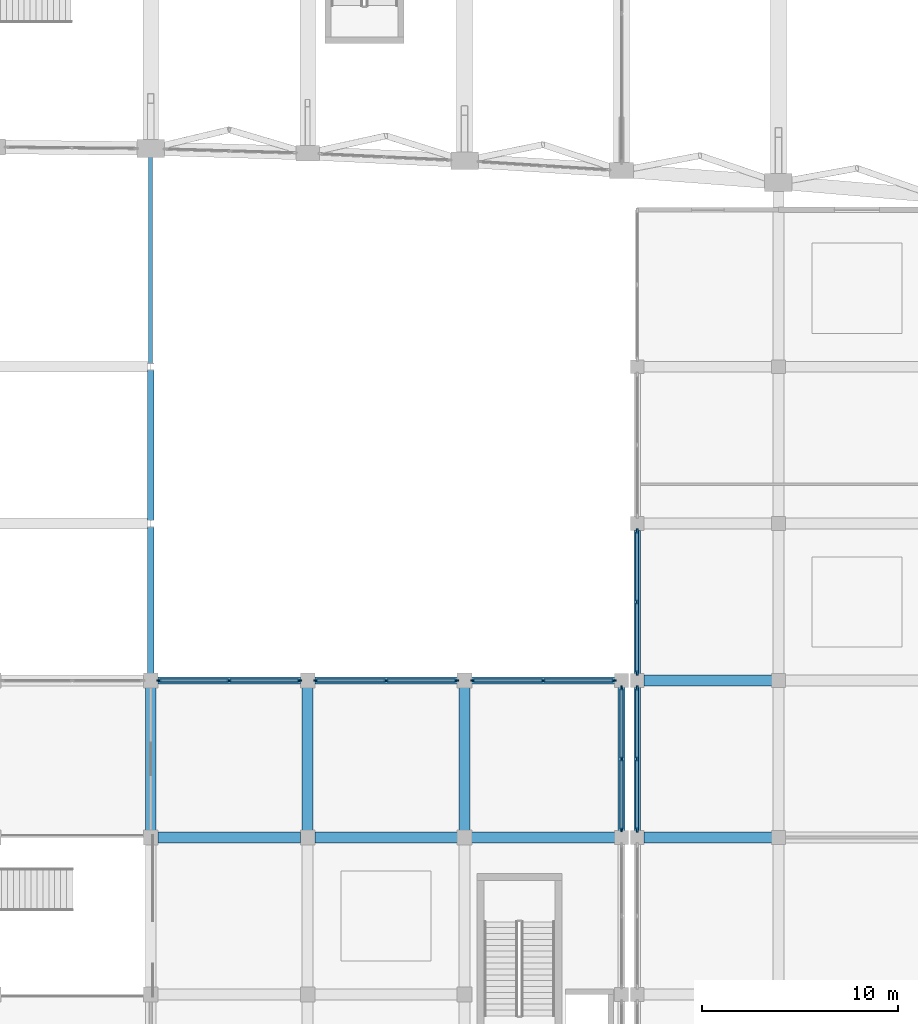
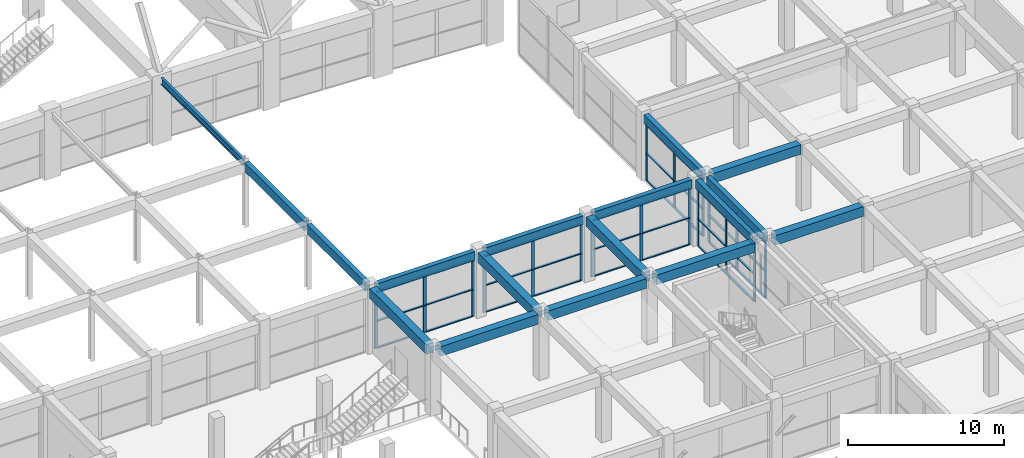
# One storey, part 18 of 69: 54 members, 17 beams, 6 elements without a shape of their own.
"""IFC4 building model written with IfcOpenShell, lengths in metres."""

from ifc_helpers import new_model, si_unit, direction, frame, origin, origin_2d, place, context, subcontext, project, spatial, rectangle, i_section, extrude, material, material_profile, profile_set, type_object, element, aggregate, save


model = new_model("IFC4")

# Units and contexts
model_context = context("Model", 3, precision=1e-05, world=origin(), true_north=direction((0.0, 1.0)))
body_context = subcontext(model_context, "Body", "Model", "MODEL_VIEW")
ifc_project = project(units=[si_unit("LENGTHUNIT", "METRE"), si_unit("AREAUNIT", "SQUARE_METRE"), si_unit("VOLUMEUNIT", "CUBIC_METRE"), si_unit("PLANEANGLEUNIT", "RADIAN"), si_unit("MASSUNIT", "GRAM", prefix="KILO")], contexts=[model_context])

# Site, building, storey
site_placement = place(None, origin())
site = spatial("IfcSite", under=ifc_project, at=site_placement, CompositionType="ELEMENT")
building_placement = place(site_placement, origin())
building = spatial("IfcBuilding", under=site, at=building_placement, Name="Kenh Van Central Station", CompositionType="ELEMENT")
storey_placement = place(building_placement, frame((0.0, 0.0, 5.39990234375)))
storey = spatial("IfcBuildingStorey", under=building, at=storey_placement, Name="L01", CompositionType="ELEMENT", Elevation=5.39990234375)

# Beams
ifc_material_1 = material(Name="Concrete C35/45", Category="concrete")
ifc_material_profile_1 = material_profile(ifc_material_1, rectangle(XDim=0.550048828125, YDim=0.75, at=origin_2d()), Name="RC 550x750")
ifc_profile_set_1 = profile_set([ifc_material_profile_1], Name="Concrete C35/45")
beam_type_1 = type_object("IfcBeamType", Name="BM-RC-550x750", PredefinedType="BEAM", material=ifc_profile_set_1)
for number, where, z_axis, x_axis, name in (
    (1, (96.364990234375, 32.0, 4.755126953125), (1.0, 0.0, 0.0), (0.0, 1.0, 0.0), "L01 beam 0679"),
    (2, (104.364990234375, 32.0, 4.755126953125), (1.0, 0.0, 0.0), (0.0, 1.0, 0.0), "L01 beam 0680"),
):
    element("IfcBeam", number, at=place(storey_placement, frame(where, z_axis=z_axis, x_axis=x_axis)), inside=storey, type_object=beam_type_1, Name=name, PredefinedType="BEAM", context=body_context, shape_type="SweptSolid", body=[
        extrude(rectangle(XDim=0.550048828125, YDim=0.75, at=origin_2d()), origin(), (0.0, 0.0, 1.0), 7.27001953125),
    ])
beam_1_placement = place(storey_placement, frame((112.364990234375, 32.0, 4.755126953125), z_axis=(1.0, 0.0, 0.0), x_axis=(0.0, 1.0, 0.0)))
element("IfcBeam", 3, at=beam_1_placement, inside=storey, type_object=beam_type_1, Name="L01 beam 0681", PredefinedType="BEAM", context=body_context, shape_type="SweptSolid", body=[
    extrude(rectangle(XDim=0.550048828125, YDim=0.75, at=origin_2d()), origin(), (0.0, 0.0, 1.0), 7.294921875),
])
for number, where, z_axis, x_axis, name in (
    (4, (121.139892578125, 32.0, 4.76513671875), (1.0, 0.0, 0.0), (0.0, 1.0, 0.0), "L01 beam 0682"),
    (5, (121.139892578125, 40.0, 4.76513671875), (1.0, 0.0, 0.0), (0.0, 1.0, 0.0), "L01 beam 0701"),
):
    element("IfcBeam", number, at=place(storey_placement, frame(where, z_axis=z_axis, x_axis=x_axis)), inside=storey, type_object=beam_type_1, Name=name, PredefinedType="BEAM", context=body_context, shape_type="SweptSolid", body=[
        extrude(rectangle(XDim=0.550048828125, YDim=0.75, at=origin_2d()), origin(), (0.0, 0.0, 1.0), 6.52001953125),
    ])
for number, where, z_axis, x_axis, name in (
    (6, (96.0, 32.364990234375, 4.755126953125), (0.0, 1.0, 0.0), (-1.0, 0.0, 0.0), "L01 beam 0829"),
    (7, (104.0, 32.364990234375, 4.755126953125), (0.0, 1.0, 0.0), (-1.0, 0.0, 0.0), "L01 beam 0835"),
    (8, (112.0, 32.364990234375, 4.755126953125), (0.0, 1.0, 0.0), (-1.0, 0.0, 0.0), "L01 beam 0838"),
):
    element("IfcBeam", number, at=place(storey_placement, frame(where, z_axis=z_axis, x_axis=x_axis)), inside=storey, type_object=beam_type_1, Name=name, PredefinedType="BEAM", context=body_context, shape_type="SweptSolid", body=[
        extrude(rectangle(XDim=0.550048828125, YDim=0.75, at=origin_2d()), origin(), (0.0, 0.0, 1.0), 7.27001953125),
    ])
ifc_material_2 = material(Name="Steel S355", Category="steel")
ifc_material_profile_2 = material_profile(ifc_material_2, i_section(OverallWidth=0.199951171875, OverallDepth=0.5, WebThickness=0.01025390625, FlangeThickness=0.01611328125, FilletRadius=0.02099609375, at=origin_2d()), Name="IPE 500")
ifc_profile_set_2 = profile_set([ifc_material_profile_2], Name="Steel S355")
beam_type_2 = type_object("IfcBeamType", Name="BM-STL-IPE500", PredefinedType="BEAM", material=ifc_profile_set_2)
beam_2_placement = place(storey_placement, frame((96.0, 56.169921875, 4.880126953125), z_axis=(0.0, 1.0, 0.0), x_axis=(-1.0, 0.0, 0.0)))
element("IfcBeam", 9, at=beam_2_placement, inside=storey, type_object=beam_type_2, Name="L01 beam 0832", PredefinedType="BEAM", context=body_context, shape_type="SweptSolid", body=[
    extrude(i_section(OverallWidth=0.199951171875, OverallDepth=0.5, WebThickness=0.01025390625, FlangeThickness=0.01611328125, FilletRadius=0.02099609375, at=origin_2d()), origin(), (0.0, 0.0, 1.0), 10.509765625),
])

# Curtain wall, members
ifc_material_3 = material(Name="Champagne anodised aluminium", Category="aluminium")
curtain_wall_type_1 = type_object("IfcCurtainWallType", Name="CW-OPER-B", PredefinedType="NOTDEFINED", material=ifc_material_3)
curtain_wall_1_placement = place(storey_placement, origin())
curtain_wall_1 = element("IfcCurtainWall", 10, at=curtain_wall_1_placement, inside=storey, type_object=curtain_wall_type_1, Name="L01 curtain wall 154", PredefinedType="NOTDEFINED")
ifc_material_profile_3 = material_profile(ifc_material_3, rectangle(XDim=0.087890625, YDim=0.239990234375, at=origin_2d()), Name="AL 88x240")
ifc_profile_set_3 = profile_set([ifc_material_profile_3], Name="Champagne anodised aluminium")
member_type_1 = type_object("IfcMemberType", Name="CWM-60x140", PredefinedType="MULLION", material=ifc_profile_set_3)
member_1_placement = place(storey_placement, frame((120.800048828125, 47.60595703125, 0.0), z_axis=(0.0, 0.0, 1.0), x_axis=(1.0, 0.0, 0.0)))
member_1 = element("IfcMember", 11, at=member_1_placement, type_object=member_type_1, Name="CW-08 mullion 1", PredefinedType="MULLION", context=body_context, shape_type="SweptSolid", body=[
    extrude(rectangle(XDim=0.087890625, YDim=0.239990234375, at=origin_2d()), origin(), (0.0, 0.0, 1.0), 4.440185546875),
])
member_2_placement = place(storey_placement, frame((120.800048828125, 44.0, 0.0), z_axis=(0.0, 0.0, 1.0), x_axis=(1.0, 0.0, 0.0)))
member_2 = element("IfcMember", 12, at=member_2_placement, type_object=member_type_1, Name="CW-08 mullion 2", PredefinedType="MULLION", context=body_context, shape_type="SweptSolid", body=[
    extrude(rectangle(XDim=0.087890625, YDim=0.239990234375, at=origin_2d()), origin(), (0.0, 0.0, 1.0), 4.440185546875),
])
member_3_placement = place(storey_placement, frame((120.800048828125, 40.39404296875, 0.0), z_axis=(0.0, 0.0, 1.0), x_axis=(1.0, 0.0, 0.0)))
member_3 = element("IfcMember", 13, at=member_3_placement, type_object=member_type_1, Name="CW-08 mullion 3", PredefinedType="MULLION", context=body_context, shape_type="SweptSolid", body=[
    extrude(rectangle(XDim=0.087890625, YDim=0.239990234375, at=origin_2d()), origin(), (0.0, 0.0, 1.0), 4.440185546875),
])

curtain_wall_2_placement = place(storey_placement, origin())
curtain_wall_2 = element("IfcCurtainWall", 14, at=curtain_wall_2_placement, inside=storey, type_object=curtain_wall_type_1, Name="L01 curtain wall 155", PredefinedType="NOTDEFINED")
member_4_placement = place(storey_placement, frame((120.800048828125, 39.60595703125, 0.0), z_axis=(0.0, 0.0, 1.0), x_axis=(1.0, 0.0, 0.0)))
member_4 = element("IfcMember", 15, at=member_4_placement, type_object=member_type_1, Name="CW-08 mullion 1", PredefinedType="MULLION", context=body_context, shape_type="SweptSolid", body=[
    extrude(rectangle(XDim=0.087890625, YDim=0.239990234375, at=origin_2d()), origin(), (0.0, 0.0, 1.0), 4.440185546875),
])
member_5_placement = place(storey_placement, frame((120.800048828125, 36.0, 0.0), z_axis=(0.0, 0.0, 1.0), x_axis=(1.0, 0.0, 0.0)))
member_5 = element("IfcMember", 16, at=member_5_placement, type_object=member_type_1, Name="CW-08 mullion 2", PredefinedType="MULLION", context=body_context, shape_type="SweptSolid", body=[
    extrude(rectangle(XDim=0.087890625, YDim=0.239990234375, at=origin_2d()), origin(), (0.0, 0.0, 1.0), 4.440185546875),
])
member_6_placement = place(storey_placement, frame((120.800048828125, 32.39404296875, 0.0), z_axis=(0.0, 0.0, 1.0), x_axis=(1.0, 0.0, 0.0)))
member_6 = element("IfcMember", 17, at=member_6_placement, type_object=member_type_1, Name="CW-08 mullion 3", PredefinedType="MULLION", context=body_context, shape_type="SweptSolid", body=[
    extrude(rectangle(XDim=0.087890625, YDim=0.239990234375, at=origin_2d()), origin(), (0.0, 0.0, 1.0), 4.440185546875),
])

curtain_wall_type_2 = type_object("IfcCurtainWallType", Name="CW-CONC-B", PredefinedType="NOTDEFINED", material=ifc_material_3)
curtain_wall_3_placement = place(storey_placement, origin())
curtain_wall_3 = element("IfcCurtainWall", 18, at=curtain_wall_3_placement, inside=storey, type_object=curtain_wall_type_2, Name="L01 curtain wall 112", PredefinedType="NOTDEFINED")
ifc_material_profile_4 = material_profile(ifc_material_3, rectangle(XDim=0.08203125, YDim=0.22509765625, at=origin_2d()), Name="AL 82x225")
ifc_profile_set_4 = profile_set([ifc_material_profile_4], Name="Champagne anodised aluminium")
member_type_2 = type_object("IfcMemberType", Name="CWM-70x180", PredefinedType="MULLION", material=ifc_profile_set_4)
member_7_placement = place(storey_placement, frame((119.60888671875, 40.0, 0.0), z_axis=(0.0, 0.0, 1.0), x_axis=(0.0, -1.0, 0.0)))
member_7 = element("IfcMember", 19, at=member_7_placement, type_object=member_type_2, Name="CW-04 mullion 1", PredefinedType="MULLION", context=body_context, shape_type="SweptSolid", body=[
    extrude(rectangle(XDim=0.08203125, YDim=0.22509765625, at=origin_2d()), origin(), (0.0, 0.0, 1.0), 4.43017578125),
])
member_8_placement = place(storey_placement, frame((116.012451171875, 40.0, 0.0), z_axis=(0.0, 0.0, 1.0), x_axis=(0.0, -1.0, 0.0)))
member_8 = element("IfcMember", 20, at=member_8_placement, type_object=member_type_2, Name="CW-04 mullion 2", PredefinedType="MULLION", context=body_context, shape_type="SweptSolid", body=[
    extrude(rectangle(XDim=0.08203125, YDim=0.22509765625, at=origin_2d()), origin(), (0.0, 0.0, 1.0), 4.43017578125),
])
member_9_placement = place(storey_placement, frame((112.416015625, 40.0, 0.0), z_axis=(0.0, 0.0, 1.0), x_axis=(0.0, -1.0, 0.0)))
member_9 = element("IfcMember", 21, at=member_9_placement, type_object=member_type_2, Name="CW-04 mullion 3", PredefinedType="MULLION", context=body_context, shape_type="SweptSolid", body=[
    extrude(rectangle(XDim=0.08203125, YDim=0.22509765625, at=origin_2d()), origin(), (0.0, 0.0, 1.0), 4.43017578125),
])

curtain_wall_4_placement = place(storey_placement, origin())
curtain_wall_4 = element("IfcCurtainWall", 22, at=curtain_wall_4_placement, inside=storey, type_object=curtain_wall_type_2, Name="L01 curtain wall 113", PredefinedType="NOTDEFINED")
member_10_placement = place(storey_placement, frame((111.583984375, 40.0, 0.0), z_axis=(0.0, 0.0, 1.0), x_axis=(0.0, -1.0, 0.0)))
member_10 = element("IfcMember", 23, at=member_10_placement, type_object=member_type_2, Name="CW-04 mullion 1", PredefinedType="MULLION", context=body_context, shape_type="SweptSolid", body=[
    extrude(rectangle(XDim=0.08203125, YDim=0.22509765625, at=origin_2d()), origin(), (0.0, 0.0, 1.0), 4.43017578125),
])
member_11_placement = place(storey_placement, frame((108.0, 40.0, 0.0), z_axis=(0.0, 0.0, 1.0), x_axis=(0.0, -1.0, 0.0)))
member_11 = element("IfcMember", 24, at=member_11_placement, type_object=member_type_2, Name="CW-04 mullion 2", PredefinedType="MULLION", context=body_context, shape_type="SweptSolid", body=[
    extrude(rectangle(XDim=0.08203125, YDim=0.22509765625, at=origin_2d()), origin(), (0.0, 0.0, 1.0), 4.43017578125),
])
member_12_placement = place(storey_placement, frame((104.416015625, 40.0, 0.0), z_axis=(0.0, 0.0, 1.0), x_axis=(0.0, -1.0, 0.0)))
member_12 = element("IfcMember", 25, at=member_12_placement, type_object=member_type_2, Name="CW-04 mullion 3", PredefinedType="MULLION", context=body_context, shape_type="SweptSolid", body=[
    extrude(rectangle(XDim=0.08203125, YDim=0.22509765625, at=origin_2d()), origin(), (0.0, 0.0, 1.0), 4.43017578125),
])

curtain_wall_5_placement = place(storey_placement, origin())
curtain_wall_5 = element("IfcCurtainWall", 26, at=curtain_wall_5_placement, inside=storey, type_object=curtain_wall_type_2, Name="L01 curtain wall 114", PredefinedType="NOTDEFINED")
member_13_placement = place(storey_placement, frame((103.583984375, 40.0, 0.0), z_axis=(0.0, 0.0, 1.0), x_axis=(0.0, -1.0, 0.0)))
member_13 = element("IfcMember", 27, at=member_13_placement, type_object=member_type_2, Name="CW-04 mullion 1", PredefinedType="MULLION", context=body_context, shape_type="SweptSolid", body=[
    extrude(rectangle(XDim=0.08203125, YDim=0.22509765625, at=origin_2d()), origin(), (0.0, 0.0, 1.0), 4.43017578125),
])
member_14_placement = place(storey_placement, frame((100.0, 40.0, 0.0), z_axis=(0.0, 0.0, 1.0), x_axis=(0.0, -1.0, 0.0)))
member_14 = element("IfcMember", 28, at=member_14_placement, type_object=member_type_2, Name="CW-04 mullion 2", PredefinedType="MULLION", context=body_context, shape_type="SweptSolid", body=[
    extrude(rectangle(XDim=0.08203125, YDim=0.22509765625, at=origin_2d()), origin(), (0.0, 0.0, 1.0), 4.43017578125),
])
member_15_placement = place(storey_placement, frame((96.416015625, 40.0, 0.0), z_axis=(0.0, 0.0, 1.0), x_axis=(0.0, -1.0, 0.0)))
member_15 = element("IfcMember", 29, at=member_15_placement, type_object=member_type_2, Name="CW-04 mullion 3", PredefinedType="MULLION", context=body_context, shape_type="SweptSolid", body=[
    extrude(rectangle(XDim=0.08203125, YDim=0.22509765625, at=origin_2d()), origin(), (0.0, 0.0, 1.0), 4.43017578125),
])

curtain_wall_6_placement = place(storey_placement, origin())
curtain_wall_6 = element("IfcCurtainWall", 30, at=curtain_wall_6_placement, inside=storey, type_object=curtain_wall_type_2, Name="L01 curtain wall 123", PredefinedType="NOTDEFINED")
member_16_placement = place(storey_placement, frame((120.0, 32.39111328125, 0.0), z_axis=(0.0, 0.0, 1.0), x_axis=(-1.0, 0.0, 0.0)))
member_16 = element("IfcMember", 31, at=member_16_placement, type_object=member_type_2, Name="CW-04 mullion 1", PredefinedType="MULLION", context=body_context, shape_type="SweptSolid", body=[
    extrude(rectangle(XDim=0.08203125, YDim=0.22509765625, at=origin_2d()), origin(), (0.0, 0.0, 1.0), 4.47998046875),
])
member_17_placement = place(storey_placement, frame((120.0, 36.0, 0.0), z_axis=(0.0, 0.0, 1.0), x_axis=(-1.0, 0.0, 0.0)))
member_17 = element("IfcMember", 32, at=member_17_placement, type_object=member_type_2, Name="CW-04 mullion 2", PredefinedType="MULLION", context=body_context, shape_type="SweptSolid", body=[
    extrude(rectangle(XDim=0.08203125, YDim=0.22509765625, at=origin_2d()), origin(), (0.0, 0.0, 1.0), 4.47998046875),
])
member_18_placement = place(storey_placement, frame((120.0, 39.60888671875, 0.0), z_axis=(0.0, 0.0, 1.0), x_axis=(-1.0, 0.0, 0.0)))
member_18 = element("IfcMember", 33, at=member_18_placement, type_object=member_type_2, Name="CW-04 mullion 3", PredefinedType="MULLION", context=body_context, shape_type="SweptSolid", body=[
    extrude(rectangle(XDim=0.08203125, YDim=0.22509765625, at=origin_2d()), origin(), (0.0, 0.0, 1.0), 4.47998046875),
])

# Member
ifc_material_profile_5 = material_profile(ifc_material_3, rectangle(XDim=0.155029296875, YDim=0.072021484375, at=origin_2d()), Name="AL 155x72")
ifc_profile_set_5 = profile_set([ifc_material_profile_5], Name="Champagne anodised aluminium")
member_type_3 = type_object("IfcMemberType", Name="CWT-120x60", PredefinedType="USERDEFINED", material=ifc_profile_set_5)
member_19_placement = place(storey_placement, frame((119.568115234375, 40.0, 0.0361328125), z_axis=(-1.0, 0.0, 0.0), x_axis=(0.0, -1.0, 0.0)))
member_19 = element("IfcMember", 34, at=member_19_placement, type_object=member_type_3, Name="CW-04 transom 1.1", ObjectType="TRANSOM", PredefinedType="USERDEFINED", context=body_context, shape_type="SweptSolid", body=[
    extrude(rectangle(XDim=0.155029296875, YDim=0.072021484375, at=origin_2d()), origin(), (0.0, 0.0, 1.0), 3.5146484375),
])

member_20_placement = place(storey_placement, frame((119.568115234375, 40.0, 2.12646484375), z_axis=(-1.0, 0.0, 0.0), x_axis=(0.0, -1.0, 0.0)))
member_20 = element("IfcMember", 35, at=member_20_placement, type_object=member_type_3, Name="CW-04 transom 1.2", ObjectType="TRANSOM", PredefinedType="USERDEFINED", context=body_context, shape_type="SweptSolid", body=[
    extrude(rectangle(XDim=0.155029296875, YDim=0.072021484375, at=origin_2d()), origin(), (0.0, 0.0, 1.0), 3.5146484375),
])

member_21_placement = place(storey_placement, frame((119.568115234375, 40.0, 4.39404296875), z_axis=(-1.0, 0.0, 0.0), x_axis=(0.0, -1.0, 0.0)))
member_21 = element("IfcMember", 36, at=member_21_placement, type_object=member_type_3, Name="CW-04 transom 1.3", ObjectType="TRANSOM", PredefinedType="USERDEFINED", context=body_context, shape_type="SweptSolid", body=[
    extrude(rectangle(XDim=0.155029296875, YDim=0.072021484375, at=origin_2d()), origin(), (0.0, 0.0, 1.0), 3.5146484375),
])

member_22_placement = place(storey_placement, frame((115.971435546875, 40.0, 0.0361328125), z_axis=(-1.0, 0.0, 0.0), x_axis=(0.0, -1.0, 0.0)))
member_22 = element("IfcMember", 37, at=member_22_placement, type_object=member_type_3, Name="CW-04 transom 2.1", ObjectType="TRANSOM", PredefinedType="USERDEFINED", context=body_context, shape_type="SweptSolid", body=[
    extrude(rectangle(XDim=0.155029296875, YDim=0.072021484375, at=origin_2d()), origin(), (0.0, 0.0, 1.0), 3.514404296875),
])

member_23_placement = place(storey_placement, frame((115.971435546875, 40.0, 2.12646484375), z_axis=(-1.0, 0.0, 0.0), x_axis=(0.0, -1.0, 0.0)))
member_23 = element("IfcMember", 38, at=member_23_placement, type_object=member_type_3, Name="CW-04 transom 2.2", ObjectType="TRANSOM", PredefinedType="USERDEFINED", context=body_context, shape_type="SweptSolid", body=[
    extrude(rectangle(XDim=0.155029296875, YDim=0.072021484375, at=origin_2d()), origin(), (0.0, 0.0, 1.0), 3.514404296875),
])

member_24_placement = place(storey_placement, frame((115.971435546875, 40.0, 4.39404296875), z_axis=(-1.0, 0.0, 0.0), x_axis=(0.0, -1.0, 0.0)))
member_24 = element("IfcMember", 39, at=member_24_placement, type_object=member_type_3, Name="CW-04 transom 2.3", ObjectType="TRANSOM", PredefinedType="USERDEFINED", context=body_context, shape_type="SweptSolid", body=[
    extrude(rectangle(XDim=0.155029296875, YDim=0.072021484375, at=origin_2d()), origin(), (0.0, 0.0, 1.0), 3.514404296875),
])

aggregate(curtain_wall_3, [member_7, member_8, member_9, member_19, member_20, member_21, member_22, member_23, member_24])

member_25_placement = place(storey_placement, frame((111.54296875, 40.0, 0.0361328125), z_axis=(-1.0, 0.0, 0.0), x_axis=(0.0, -1.0, 0.0)))
member_25 = element("IfcMember", 40, at=member_25_placement, type_object=member_type_3, Name="CW-04 transom 1.1", ObjectType="TRANSOM", PredefinedType="USERDEFINED", context=body_context, shape_type="SweptSolid", body=[
    extrude(rectangle(XDim=0.155029296875, YDim=0.072021484375, at=origin_2d()), origin(), (0.0, 0.0, 1.0), 3.501953125),
])

member_26_placement = place(storey_placement, frame((111.54296875, 40.0, 2.12646484375), z_axis=(-1.0, 0.0, 0.0), x_axis=(0.0, -1.0, 0.0)))
member_26 = element("IfcMember", 41, at=member_26_placement, type_object=member_type_3, Name="CW-04 transom 1.2", ObjectType="TRANSOM", PredefinedType="USERDEFINED", context=body_context, shape_type="SweptSolid", body=[
    extrude(rectangle(XDim=0.155029296875, YDim=0.072021484375, at=origin_2d()), origin(), (0.0, 0.0, 1.0), 3.501953125),
])

member_27_placement = place(storey_placement, frame((111.54296875, 40.0, 4.39404296875), z_axis=(-1.0, 0.0, 0.0), x_axis=(0.0, -1.0, 0.0)))
member_27 = element("IfcMember", 42, at=member_27_placement, type_object=member_type_3, Name="CW-04 transom 1.3", ObjectType="TRANSOM", PredefinedType="USERDEFINED", context=body_context, shape_type="SweptSolid", body=[
    extrude(rectangle(XDim=0.155029296875, YDim=0.072021484375, at=origin_2d()), origin(), (0.0, 0.0, 1.0), 3.501953125),
])

member_28_placement = place(storey_placement, frame((107.958984375, 40.0, 0.0361328125), z_axis=(-1.0, 0.0, 0.0), x_axis=(0.0, -1.0, 0.0)))
member_28 = element("IfcMember", 43, at=member_28_placement, type_object=member_type_3, Name="CW-04 transom 2.1", ObjectType="TRANSOM", PredefinedType="USERDEFINED", context=body_context, shape_type="SweptSolid", body=[
    extrude(rectangle(XDim=0.155029296875, YDim=0.072021484375, at=origin_2d()), origin(), (0.0, 0.0, 1.0), 3.501953125),
])

member_29_placement = place(storey_placement, frame((107.958984375, 40.0, 2.12646484375), z_axis=(-1.0, 0.0, 0.0), x_axis=(0.0, -1.0, 0.0)))
member_29 = element("IfcMember", 44, at=member_29_placement, type_object=member_type_3, Name="CW-04 transom 2.2", ObjectType="TRANSOM", PredefinedType="USERDEFINED", context=body_context, shape_type="SweptSolid", body=[
    extrude(rectangle(XDim=0.155029296875, YDim=0.072021484375, at=origin_2d()), origin(), (0.0, 0.0, 1.0), 3.501953125),
])

member_30_placement = place(storey_placement, frame((107.958984375, 40.0, 4.39404296875), z_axis=(-1.0, 0.0, 0.0), x_axis=(0.0, -1.0, 0.0)))
member_30 = element("IfcMember", 45, at=member_30_placement, type_object=member_type_3, Name="CW-04 transom 2.3", ObjectType="TRANSOM", PredefinedType="USERDEFINED", context=body_context, shape_type="SweptSolid", body=[
    extrude(rectangle(XDim=0.155029296875, YDim=0.072021484375, at=origin_2d()), origin(), (0.0, 0.0, 1.0), 3.501953125),
])

aggregate(curtain_wall_4, [member_10, member_11, member_12, member_25, member_26, member_27, member_28, member_29, member_30])

member_31_placement = place(storey_placement, frame((103.54296875, 40.0, 0.0361328125), z_axis=(-1.0, 0.0, 0.0), x_axis=(0.0, -1.0, 0.0)))
member_31 = element("IfcMember", 46, at=member_31_placement, type_object=member_type_3, Name="CW-04 transom 1.1", ObjectType="TRANSOM", PredefinedType="USERDEFINED", context=body_context, shape_type="SweptSolid", body=[
    extrude(rectangle(XDim=0.155029296875, YDim=0.072021484375, at=origin_2d()), origin(), (0.0, 0.0, 1.0), 3.501953125),
])

member_32_placement = place(storey_placement, frame((103.54296875, 40.0, 2.12646484375), z_axis=(-1.0, 0.0, 0.0), x_axis=(0.0, -1.0, 0.0)))
member_32 = element("IfcMember", 47, at=member_32_placement, type_object=member_type_3, Name="CW-04 transom 1.2", ObjectType="TRANSOM", PredefinedType="USERDEFINED", context=body_context, shape_type="SweptSolid", body=[
    extrude(rectangle(XDim=0.155029296875, YDim=0.072021484375, at=origin_2d()), origin(), (0.0, 0.0, 1.0), 3.501953125),
])

member_33_placement = place(storey_placement, frame((103.54296875, 40.0, 4.39404296875), z_axis=(-1.0, 0.0, 0.0), x_axis=(0.0, -1.0, 0.0)))
member_33 = element("IfcMember", 48, at=member_33_placement, type_object=member_type_3, Name="CW-04 transom 1.3", ObjectType="TRANSOM", PredefinedType="USERDEFINED", context=body_context, shape_type="SweptSolid", body=[
    extrude(rectangle(XDim=0.155029296875, YDim=0.072021484375, at=origin_2d()), origin(), (0.0, 0.0, 1.0), 3.501953125),
])

member_34_placement = place(storey_placement, frame((99.958984375, 40.0, 0.0361328125), z_axis=(-1.0, 0.0, 0.0), x_axis=(0.0, -1.0, 0.0)))
member_34 = element("IfcMember", 49, at=member_34_placement, type_object=member_type_3, Name="CW-04 transom 2.1", ObjectType="TRANSOM", PredefinedType="USERDEFINED", context=body_context, shape_type="SweptSolid", body=[
    extrude(rectangle(XDim=0.155029296875, YDim=0.072021484375, at=origin_2d()), origin(), (0.0, 0.0, 1.0), 3.501953125),
])

member_35_placement = place(storey_placement, frame((99.958984375, 40.0, 2.12646484375), z_axis=(-1.0, 0.0, 0.0), x_axis=(0.0, -1.0, 0.0)))
member_35 = element("IfcMember", 50, at=member_35_placement, type_object=member_type_3, Name="CW-04 transom 2.2", ObjectType="TRANSOM", PredefinedType="USERDEFINED", context=body_context, shape_type="SweptSolid", body=[
    extrude(rectangle(XDim=0.155029296875, YDim=0.072021484375, at=origin_2d()), origin(), (0.0, 0.0, 1.0), 3.501953125),
])

member_36_placement = place(storey_placement, frame((99.958984375, 40.0, 4.39404296875), z_axis=(-1.0, 0.0, 0.0), x_axis=(0.0, -1.0, 0.0)))
member_36 = element("IfcMember", 51, at=member_36_placement, type_object=member_type_3, Name="CW-04 transom 2.3", ObjectType="TRANSOM", PredefinedType="USERDEFINED", context=body_context, shape_type="SweptSolid", body=[
    extrude(rectangle(XDim=0.155029296875, YDim=0.072021484375, at=origin_2d()), origin(), (0.0, 0.0, 1.0), 3.501953125),
])

aggregate(curtain_wall_5, [member_13, member_14, member_15, member_31, member_32, member_33, member_34, member_35, member_36])

member_37_placement = place(storey_placement, frame((120.0, 32.431884765625, 0.0361328125), z_axis=(0.0, 1.0, 0.0), x_axis=(-1.0, 0.0, 0.0)))
member_37 = element("IfcMember", 52, at=member_37_placement, type_object=member_type_3, Name="CW-04 transom 1.1", ObjectType="TRANSOM", PredefinedType="USERDEFINED", context=body_context, shape_type="SweptSolid", body=[
    extrude(rectangle(XDim=0.155029296875, YDim=0.072021484375, at=origin_2d()), origin(), (0.0, 0.0, 1.0), 3.527099609375),
])

member_38_placement = place(storey_placement, frame((120.0, 32.431884765625, 2.150390625), z_axis=(0.0, 1.0, 0.0), x_axis=(-1.0, 0.0, 0.0)))
member_38 = element("IfcMember", 53, at=member_38_placement, type_object=member_type_3, Name="CW-04 transom 1.2", ObjectType="TRANSOM", PredefinedType="USERDEFINED", context=body_context, shape_type="SweptSolid", body=[
    extrude(rectangle(XDim=0.155029296875, YDim=0.072021484375, at=origin_2d()), origin(), (0.0, 0.0, 1.0), 3.527099609375),
])

member_39_placement = place(storey_placement, frame((120.0, 32.431884765625, 4.444091796875), z_axis=(0.0, 1.0, 0.0), x_axis=(-1.0, 0.0, 0.0)))
member_39 = element("IfcMember", 54, at=member_39_placement, type_object=member_type_3, Name="CW-04 transom 1.3", ObjectType="TRANSOM", PredefinedType="USERDEFINED", context=body_context, shape_type="SweptSolid", body=[
    extrude(rectangle(XDim=0.155029296875, YDim=0.072021484375, at=origin_2d()), origin(), (0.0, 0.0, 1.0), 3.527099609375),
])

member_40_placement = place(storey_placement, frame((120.0, 36.041015625, 0.0361328125), z_axis=(0.0, 1.0, 0.0), x_axis=(-1.0, 0.0, 0.0)))
member_40 = element("IfcMember", 55, at=member_40_placement, type_object=member_type_3, Name="CW-04 transom 2.1", ObjectType="TRANSOM", PredefinedType="USERDEFINED", context=body_context, shape_type="SweptSolid", body=[
    extrude(rectangle(XDim=0.155029296875, YDim=0.072021484375, at=origin_2d()), origin(), (0.0, 0.0, 1.0), 3.527099609375),
])

member_41_placement = place(storey_placement, frame((120.0, 36.041015625, 2.150390625), z_axis=(0.0, 1.0, 0.0), x_axis=(-1.0, 0.0, 0.0)))
member_41 = element("IfcMember", 56, at=member_41_placement, type_object=member_type_3, Name="CW-04 transom 2.2", ObjectType="TRANSOM", PredefinedType="USERDEFINED", context=body_context, shape_type="SweptSolid", body=[
    extrude(rectangle(XDim=0.155029296875, YDim=0.072021484375, at=origin_2d()), origin(), (0.0, 0.0, 1.0), 3.527099609375),
])

member_42_placement = place(storey_placement, frame((120.0, 36.041015625, 4.444091796875), z_axis=(0.0, 1.0, 0.0), x_axis=(-1.0, 0.0, 0.0)))
member_42 = element("IfcMember", 57, at=member_42_placement, type_object=member_type_3, Name="CW-04 transom 2.3", ObjectType="TRANSOM", PredefinedType="USERDEFINED", context=body_context, shape_type="SweptSolid", body=[
    extrude(rectangle(XDim=0.155029296875, YDim=0.072021484375, at=origin_2d()), origin(), (0.0, 0.0, 1.0), 3.527099609375),
])

aggregate(curtain_wall_6, [member_16, member_17, member_18, member_37, member_38, member_39, member_40, member_41, member_42])

member_43_placement = place(storey_placement, frame((120.800048828125, 47.56201171875, 0.0361328125), z_axis=(0.0, -1.0, 0.0), x_axis=(1.0, 0.0, 0.0)))
member_43 = element("IfcMember", 58, at=member_43_placement, type_object=member_type_3, Name="CW-08 transom 1.1", ObjectType="TRANSOM", PredefinedType="USERDEFINED", context=body_context, shape_type="SweptSolid", body=[
    extrude(rectangle(XDim=0.155029296875, YDim=0.072021484375, at=origin_2d()), origin(), (0.0, 0.0, 1.0), 3.51806640625),
])

member_44_placement = place(storey_placement, frame((120.800048828125, 47.56201171875, 2.13134765625), z_axis=(0.0, -1.0, 0.0), x_axis=(1.0, 0.0, 0.0)))
member_44 = element("IfcMember", 59, at=member_44_placement, type_object=member_type_3, Name="CW-08 transom 1.2", ObjectType="TRANSOM", PredefinedType="USERDEFINED", context=body_context, shape_type="SweptSolid", body=[
    extrude(rectangle(XDim=0.155029296875, YDim=0.072021484375, at=origin_2d()), origin(), (0.0, 0.0, 1.0), 3.51806640625),
])

member_45_placement = place(storey_placement, frame((120.800048828125, 47.56201171875, 4.404052734375), z_axis=(0.0, -1.0, 0.0), x_axis=(1.0, 0.0, 0.0)))
member_45 = element("IfcMember", 60, at=member_45_placement, type_object=member_type_3, Name="CW-08 transom 1.3", ObjectType="TRANSOM", PredefinedType="USERDEFINED", context=body_context, shape_type="SweptSolid", body=[
    extrude(rectangle(XDim=0.155029296875, YDim=0.072021484375, at=origin_2d()), origin(), (0.0, 0.0, 1.0), 3.51806640625),
])

member_46_placement = place(storey_placement, frame((120.800048828125, 43.9560546875, 0.0361328125), z_axis=(0.0, -1.0, 0.0), x_axis=(1.0, 0.0, 0.0)))
member_46 = element("IfcMember", 61, at=member_46_placement, type_object=member_type_3, Name="CW-08 transom 2.1", ObjectType="TRANSOM", PredefinedType="USERDEFINED", context=body_context, shape_type="SweptSolid", body=[
    extrude(rectangle(XDim=0.155029296875, YDim=0.072021484375, at=origin_2d()), origin(), (0.0, 0.0, 1.0), 3.51806640625),
])

member_47_placement = place(storey_placement, frame((120.800048828125, 43.9560546875, 2.13134765625), z_axis=(0.0, -1.0, 0.0), x_axis=(1.0, 0.0, 0.0)))
member_47 = element("IfcMember", 62, at=member_47_placement, type_object=member_type_3, Name="CW-08 transom 2.2", ObjectType="TRANSOM", PredefinedType="USERDEFINED", context=body_context, shape_type="SweptSolid", body=[
    extrude(rectangle(XDim=0.155029296875, YDim=0.072021484375, at=origin_2d()), origin(), (0.0, 0.0, 1.0), 3.51806640625),
])

member_48_placement = place(storey_placement, frame((120.800048828125, 43.9560546875, 4.404052734375), z_axis=(0.0, -1.0, 0.0), x_axis=(1.0, 0.0, 0.0)))
member_48 = element("IfcMember", 63, at=member_48_placement, type_object=member_type_3, Name="CW-08 transom 2.3", ObjectType="TRANSOM", PredefinedType="USERDEFINED", context=body_context, shape_type="SweptSolid", body=[
    extrude(rectangle(XDim=0.155029296875, YDim=0.072021484375, at=origin_2d()), origin(), (0.0, 0.0, 1.0), 3.51806640625),
])

aggregate(curtain_wall_1, [member_1, member_2, member_3, member_43, member_44, member_45, member_46, member_47, member_48])

member_49_placement = place(storey_placement, frame((120.800048828125, 39.56201171875, 0.0361328125), z_axis=(0.0, -1.0, 0.0), x_axis=(1.0, 0.0, 0.0)))
member_49 = element("IfcMember", 64, at=member_49_placement, type_object=member_type_3, Name="CW-08 transom 1.1", ObjectType="TRANSOM", PredefinedType="USERDEFINED", context=body_context, shape_type="SweptSolid", body=[
    extrude(rectangle(XDim=0.155029296875, YDim=0.072021484375, at=origin_2d()), origin(), (0.0, 0.0, 1.0), 3.51806640625),
])

member_50_placement = place(storey_placement, frame((120.800048828125, 39.56201171875, 2.13134765625), z_axis=(0.0, -1.0, 0.0), x_axis=(1.0, 0.0, 0.0)))
member_50 = element("IfcMember", 65, at=member_50_placement, type_object=member_type_3, Name="CW-08 transom 1.2", ObjectType="TRANSOM", PredefinedType="USERDEFINED", context=body_context, shape_type="SweptSolid", body=[
    extrude(rectangle(XDim=0.155029296875, YDim=0.072021484375, at=origin_2d()), origin(), (0.0, 0.0, 1.0), 3.51806640625),
])

member_51_placement = place(storey_placement, frame((120.800048828125, 39.56201171875, 4.404052734375), z_axis=(0.0, -1.0, 0.0), x_axis=(1.0, 0.0, 0.0)))
member_51 = element("IfcMember", 66, at=member_51_placement, type_object=member_type_3, Name="CW-08 transom 1.3", ObjectType="TRANSOM", PredefinedType="USERDEFINED", context=body_context, shape_type="SweptSolid", body=[
    extrude(rectangle(XDim=0.155029296875, YDim=0.072021484375, at=origin_2d()), origin(), (0.0, 0.0, 1.0), 3.51806640625),
])

member_52_placement = place(storey_placement, frame((120.800048828125, 35.9560546875, 0.0361328125), z_axis=(0.0, -1.0, 0.0), x_axis=(1.0, 0.0, 0.0)))
member_52 = element("IfcMember", 67, at=member_52_placement, type_object=member_type_3, Name="CW-08 transom 2.1", ObjectType="TRANSOM", PredefinedType="USERDEFINED", context=body_context, shape_type="SweptSolid", body=[
    extrude(rectangle(XDim=0.155029296875, YDim=0.072021484375, at=origin_2d()), origin(), (0.0, 0.0, 1.0), 3.51806640625),
])

member_53_placement = place(storey_placement, frame((120.800048828125, 35.9560546875, 2.13134765625), z_axis=(0.0, -1.0, 0.0), x_axis=(1.0, 0.0, 0.0)))
member_53 = element("IfcMember", 68, at=member_53_placement, type_object=member_type_3, Name="CW-08 transom 2.2", ObjectType="TRANSOM", PredefinedType="USERDEFINED", context=body_context, shape_type="SweptSolid", body=[
    extrude(rectangle(XDim=0.155029296875, YDim=0.072021484375, at=origin_2d()), origin(), (0.0, 0.0, 1.0), 3.51806640625),
])

member_54_placement = place(storey_placement, frame((120.800048828125, 35.9560546875, 4.404052734375), z_axis=(0.0, -1.0, 0.0), x_axis=(1.0, 0.0, 0.0)))
member_54 = element("IfcMember", 69, at=member_54_placement, type_object=member_type_3, Name="CW-08 transom 2.3", ObjectType="TRANSOM", PredefinedType="USERDEFINED", context=body_context, shape_type="SweptSolid", body=[
    extrude(rectangle(XDim=0.155029296875, YDim=0.072021484375, at=origin_2d()), origin(), (0.0, 0.0, 1.0), 3.51806640625),
])

aggregate(curtain_wall_2, [member_4, member_5, member_6, member_49, member_50, member_51, member_52, member_53, member_54])

# Beams
ifc_material_profile_6 = material_profile(ifc_material_1, rectangle(XDim=0.35009765625, YDim=0.699951171875, at=origin_2d()), Name="RC 350x700")
ifc_profile_set_6 = profile_set([ifc_material_profile_6], Name="Concrete C35/45")
beam_type_3 = type_object("IfcBeamType", Name="SPD-RC-350x700", PredefinedType="SPANDREL", material=ifc_profile_set_6)
for number, where, z_axis, x_axis, name in (
    (70, (96.364990234375, 40.0, 4.780029296875), (1.0, 0.0, 0.0), (0.0, 1.0, 0.0), "L01 beam 0698"),
    (71, (104.364990234375, 40.0, 4.780029296875), (1.0, 0.0, 0.0), (0.0, 1.0, 0.0), "L01 beam 0699"),
):
    element("IfcBeam", number, at=place(storey_placement, frame(where, z_axis=z_axis, x_axis=x_axis)), inside=storey, type_object=beam_type_3, Name=name, PredefinedType="SPANDREL", context=body_context, shape_type="SweptSolid", body=[
        extrude(rectangle(XDim=0.35009765625, YDim=0.699951171875, at=origin_2d()), origin(), (0.0, 0.0, 1.0), 7.27001953125),
    ])
beam_3_placement = place(storey_placement, frame((112.364990234375, 40.0, 4.780029296875), z_axis=(1.0, 0.0, 0.0), x_axis=(0.0, 1.0, 0.0)))
element("IfcBeam", 72, at=beam_3_placement, inside=storey, type_object=beam_type_3, Name="L01 beam 0700", PredefinedType="SPANDREL", context=body_context, shape_type="SweptSolid", body=[
    extrude(rectangle(XDim=0.35009765625, YDim=0.699951171875, at=origin_2d()), origin(), (0.0, 0.0, 1.0), 7.294921875),
])
beam_4_placement = place(storey_placement, frame((96.0, 40.364990234375, 4.780029296875), z_axis=(0.0, 1.0, 0.0), x_axis=(-1.0, 0.0, 0.0)))
element("IfcBeam", 73, at=beam_4_placement, inside=storey, type_object=beam_type_3, Name="L01 beam 0830", PredefinedType="SPANDREL", context=body_context, shape_type="SweptSolid", body=[
    extrude(rectangle(XDim=0.35009765625, YDim=0.699951171875, at=origin_2d()), origin(), (0.0, 0.0, 1.0), 7.465087890625),
])
beam_5_placement = place(storey_placement, frame((96.0, 48.169921875, 4.780029296875), z_axis=(0.0, 1.0, 0.0), x_axis=(-1.0, 0.0, 0.0)))
element("IfcBeam", 74, at=beam_5_placement, inside=storey, type_object=beam_type_3, Name="L01 beam 0831", PredefinedType="SPANDREL", context=body_context, shape_type="SweptSolid", body=[
    extrude(rectangle(XDim=0.35009765625, YDim=0.699951171875, at=origin_2d()), origin(), (0.0, 0.0, 1.0), 7.66015625),
])
for number, where, z_axis, x_axis, name in (
    (75, (120.0, 32.340087890625, 4.830078125), (0.0, 1.0, 0.0), (-1.0, 0.0, 0.0), "L01 beam 0841"),
    (76, (120.800048828125, 32.340087890625, 4.7900390625), (0.0, 1.0, 0.0), (-1.0, 0.0, 0.0), "L01 beam 0845"),
    (77, (120.800048828125, 40.340087890625, 4.7900390625), (0.0, 1.0, 0.0), (-1.0, 0.0, 0.0), "L01 beam 0846"),
):
    element("IfcBeam", number, at=place(storey_placement, frame(where, z_axis=z_axis, x_axis=x_axis)), inside=storey, type_object=beam_type_3, Name=name, PredefinedType="SPANDREL", context=body_context, shape_type="SweptSolid", body=[
        extrude(rectangle(XDim=0.35009765625, YDim=0.699951171875, at=origin_2d()), origin(), (0.0, 0.0, 1.0), 7.31982421875),
    ])

save(model, "model.ifc")
